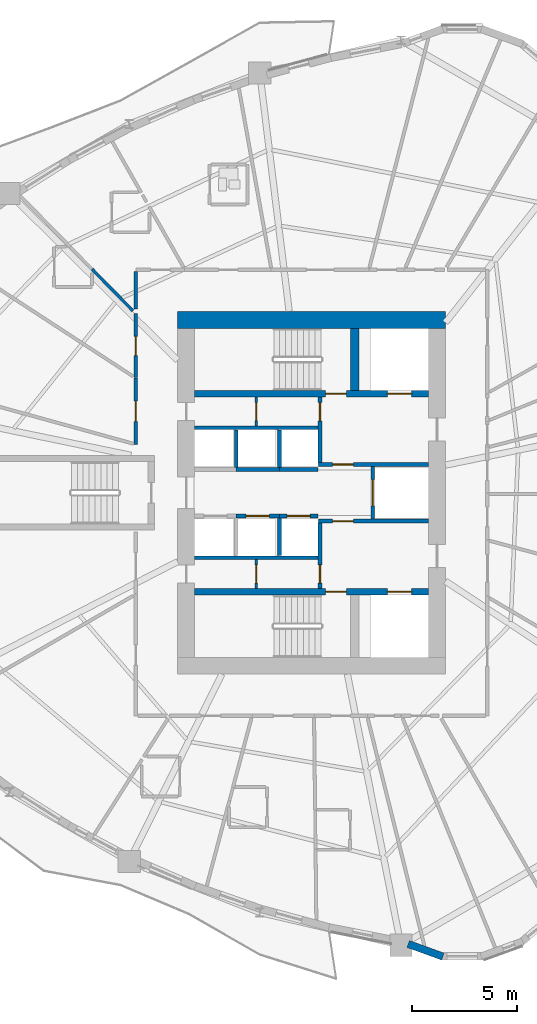
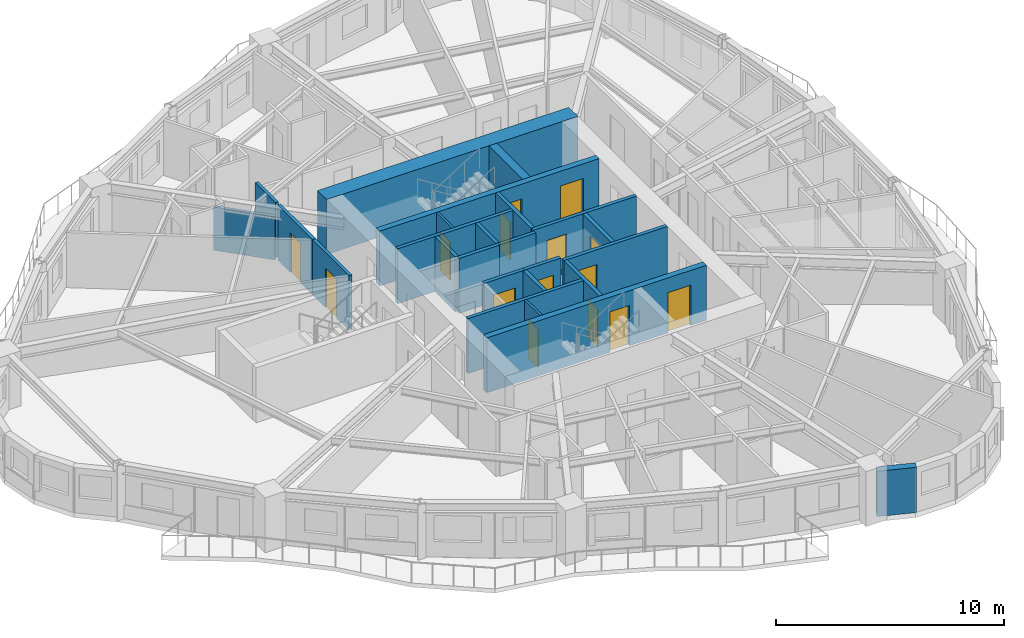
# One storey, part 5 of 13: 25 walls, 15 doors, 15 openings.
"""IFC4 building model written with IfcOpenShell, lengths in metres."""

from ifc_helpers import new_model, si_unit, direction, frame, frame_2d, origin, place, context, subcontext, project, spatial, rectangle, extrude, source, transform, mapped, material, layer, layer_set, type_object, element, fill, save


model = new_model("IFC4")

# Units and contexts
model_context = context("Model", 3, precision=1e-05, world=origin(), true_north=direction((0.0, 1.0)))
body_context = subcontext(model_context, "Body", "Model", "MODEL_VIEW")
ifc_project = project(units=[si_unit("LENGTHUNIT", "METRE"), si_unit("AREAUNIT", "SQUARE_METRE"), si_unit("VOLUMEUNIT", "CUBIC_METRE"), si_unit("PLANEANGLEUNIT", "RADIAN"), si_unit("MASSUNIT", "GRAM", prefix="KILO")], contexts=[model_context])

# Site, building, storey
site_placement = place(None, origin())
site = spatial("IfcSite", under=ifc_project, at=site_placement, CompositionType="ELEMENT")
building_placement = place(site_placement, origin())
building = spatial("IfcBuilding", under=site, at=building_placement, Name="Qafzar Sky-Pleat Residences", CompositionType="ELEMENT")
storey_placement = place(building_placement, frame((0.0, 0.0, 49.39990234375)))
storey = spatial("IfcBuildingStorey", under=building, at=storey_placement, Name="L14", CompositionType="ELEMENT", Elevation=49.39990234375)

# Wall, opening, door
ifc_material_1 = material(Name="Acoustic gypsum plasterboard partition", Category="gypsum")
ifc_layer_1 = layer(ifc_material_1, 0.159912109375)
ifc_layer_set_1 = layer_set([ifc_layer_1], Name="Acoustic gypsum plasterboard partition")
wall_type_1 = type_object("IfcWallType", Name="PART-COR-160", PredefinedType="PARTITIONING", material=ifc_layer_set_1)
wall_1_placement = place(storey_placement, frame((22.02001953125, 28.279052734375, 0.0), z_axis=(0.0, 0.0, 1.0), x_axis=(0.0, 1.0, 0.0)))
wall_1 = element("IfcWall", 1, at=wall_1_placement, inside=storey, type_object=wall_type_1, Name="L14 Partition Wall PART-L14-PW-007", PredefinedType="PARTITIONING", context=body_context, shape_type="SweptSolid", body=[
    extrude(rectangle(XDim=3.1728515625, YDim=0.159912109375, at=frame_2d((1.58642578125, 0.0))), origin(), (0.0, 0.0, 1.0), 2.940185546875),
])
opening_1_placement = place(wall_1_placement, frame((1.10498046875, 0.0, 0.0)))
opening_1 = element("IfcOpeningElement", 2, at=opening_1_placement, cuts=wall_1, Name="Opening ID-06", PredefinedType="OPENING", context=body_context, shape_type="SweptSolid", body=[
    extrude(rectangle(XDim=0.9599609375, YDim=2.10009765625, at=frame_2d((0.47998046875, 1.050048828125))), frame((0.0, 0.08984375, 0.0), z_axis=(0.0, -1.0, 0.0), x_axis=(1.0, 0.0, 0.0)), (0.0, 0.0, 1.0), 0.179931640625),
])
ifc_material_2 = material(Name="Timber-faced fire door", Category="wood")
door_type_1 = type_object("IfcDoorType", Name="DR-STD-960", OperationType="NOTDEFINED", PredefinedType="DOOR", material=ifc_material_2)
shared_shape_1 = source(origin(), body_context, "Body", "SweptSolid", [
    extrude(rectangle(XDim=0.9599609375, YDim=2.10009765625, at=frame_2d((0.47998046875, 1.050048828125))), frame((0.0, 0.02490234375, 0.0), z_axis=(0.0, -1.0, 0.0), x_axis=(1.0, 0.0, 0.0)), (0.0, 0.0, 1.0), 0.050048828125),
])
door_1_placement = place(opening_1_placement, origin())
door_1 = element("IfcDoor", 3, at=door_1_placement, inside=storey, type_object=door_type_1, Name="L14 Reading Library Door", OperationType="SINGLE_SWING_LEFT", OverallHeight=2.10009765625, OverallWidth=0.9599609375, PredefinedType="DOOR", context=body_context, shape_type="MappedRepresentation", body=[
    mapped(shared_shape_1, transform((0.0, 0.0, 0.0), x_axis=(1.0, 0.0, 0.0), y_axis=(0.0, 1.0, 0.0), z_axis=(0.0, 0.0, 1.0), scale=1.0)),
])
fill(opening_1, door_1)

wall_2_placement = place(storey_placement, frame((22.02001953125, 31.467041015625, 0.0), z_axis=(0.0, 0.0, 1.0), x_axis=(0.0, 1.0, 0.0)))
wall_2 = element("IfcWall", 4, at=wall_2_placement, inside=storey, type_object=wall_type_1, Name="L14 Partition Wall PART-L14-PW-008", PredefinedType="PARTITIONING", context=body_context, shape_type="SweptSolid", body=[
    extrude(rectangle(XDim=3.0400390625, YDim=0.159912109375, at=frame_2d((1.52001953125, 0.0))), origin(), (0.0, 0.0, 1.0), 2.940185546875),
])
opening_2_placement = place(wall_2_placement, frame((1.032958984375, 0.0, 0.0)))
opening_2 = element("IfcOpeningElement", 5, at=opening_2_placement, cuts=wall_2, Name="Opening ID-04", PredefinedType="OPENING", context=body_context, shape_type="SweptSolid", body=[
    extrude(rectangle(XDim=0.919921875, YDim=2.10009765625, at=frame_2d((0.4599609375, 1.050048828125))), frame((0.0, 0.08984375, 0.0), z_axis=(0.0, -1.0, 0.0), x_axis=(1.0, 0.0, 0.0)), (0.0, 0.0, 1.0), 0.179931640625),
])
door_type_2 = type_object("IfcDoorType", Name="DR-BED-920", OperationType="NOTDEFINED", PredefinedType="DOOR", material=ifc_material_2)
shared_shape_2 = source(origin(), body_context, "Body", "SweptSolid", [
    extrude(rectangle(XDim=0.919921875, YDim=2.10009765625, at=frame_2d((0.4599609375, 1.050048828125))), frame((0.0, 0.02490234375, 0.0), z_axis=(0.0, -1.0, 0.0), x_axis=(1.0, 0.0, 0.0)), (0.0, 0.0, 1.0), 0.050048828125),
])
door_2_placement = place(opening_2_placement, origin())
door_2 = element("IfcDoor", 6, at=door_2_placement, inside=storey, type_object=door_type_2, Name="L14 Co-Living Bedroom 8 Door", OperationType="SINGLE_SWING_RIGHT", OverallHeight=2.10009765625, OverallWidth=0.919921875, PredefinedType="DOOR", context=body_context, shape_type="MappedRepresentation", body=[
    mapped(shared_shape_2, transform((0.0, 0.0, 0.0), x_axis=(1.0, 0.0, 0.0), y_axis=(0.0, 1.0, 0.0), z_axis=(0.0, 0.0, 1.0), scale=1.0)),
])
fill(opening_2, door_2)

# Wall
wall_3_placement = place(storey_placement, frame((22.02001953125, 34.715087890625, 0.0), z_axis=(0.0, 0.0, 1.0), x_axis=(0.0, 1.0, 0.0)))
element("IfcWall", 7, at=wall_3_placement, inside=storey, type_object=wall_type_1, Name="L14 Partition Wall PART-L14-PW-057", PredefinedType="PARTITIONING", context=body_context, shape_type="SweptSolid", body=[
    extrude(rectangle(XDim=1.77685546875, YDim=0.159912109375, at=frame_2d((0.888427734375, 0.0))), origin(), (0.0, 0.0, 1.0), 2.940185546875),
])

# Wall, opening, door
ifc_material_3 = material(Name="Concrete blockwork partition", Category="masonry")
ifc_layer_2 = layer(ifc_material_3, 0.179931640625)
ifc_layer_set_2 = layer_set([ifc_layer_2], Name="Concrete blockwork partition")
wall_type_2 = type_object("IfcWallType", Name="PART-SHAFT-180", PredefinedType="PARTITIONING", material=ifc_layer_set_2)
wall_4_placement = place(storey_placement, frame((30.75, 21.4599609375, 0.0), z_axis=(0.0, 0.0, 1.0), x_axis=(0.0, 1.0, 0.0)))
wall_4 = element("IfcWall", 8, at=wall_4_placement, inside=storey, type_object=wall_type_2, Name="L14 Partition Wall PART-L14-FFL1-W", PredefinedType="PARTITIONING", context=body_context, shape_type="SweptSolid", body=[
    extrude(rectangle(XDim=3.110107421875, YDim=0.179931640625, at=frame_2d((1.55517578125, 0.0))), origin(), (0.0, 0.0, 1.0), 2.940185546875),
])
opening_3_placement = place(wall_4_placement, frame((0.260009765625, 0.0, 0.0)))
opening_3 = element("IfcOpeningElement", 9, at=opening_3_placement, cuts=wall_4, Name="Opening ID-09", PredefinedType="OPENING", context=body_context, shape_type="SweptSolid", body=[
    extrude(rectangle(XDim=0.860107421875, YDim=2.050048828125, at=frame_2d((0.43017578125, 1.02490234375))), frame((0.0, 0.10009765625, 0.0), z_axis=(0.0, -1.0, 0.0), x_axis=(1.0, 0.0, 0.0)), (0.0, 0.0, 1.0), 0.199951171875),
])
door_type_3 = type_object("IfcDoorType", Name="DR-SVC-860", OperationType="NOTDEFINED", PredefinedType="DOOR", material=ifc_material_2)
shared_shape_3 = source(origin(), body_context, "Body", "SweptSolid", [
    extrude(rectangle(XDim=0.860107421875, YDim=2.050048828125, at=frame_2d((0.43017578125, 1.02490234375))), frame((0.0, 0.02490234375, 0.0), z_axis=(0.0, -1.0, 0.0), x_axis=(1.0, 0.0, 0.0)), (0.0, 0.0, 1.0), 0.050048828125),
])
door_3_placement = place(opening_3_placement, origin())
door_3 = element("IfcDoor", 10, at=door_3_placement, inside=storey, type_object=door_type_3, Name="L14 South Core Cupboard Door", OperationType="SINGLE_SWING_LEFT", OverallHeight=2.050048828125, OverallWidth=0.860107421875, PredefinedType="DOOR", context=body_context, shape_type="MappedRepresentation", body=[
    mapped(shared_shape_3, transform((0.0, 0.0, 0.0), x_axis=(1.0, 0.0, 0.0), y_axis=(0.0, 1.0, 0.0), z_axis=(0.0, 0.0, 1.0), scale=1.0)),
])
fill(opening_3, door_3)

wall_5_placement = place(storey_placement, frame((30.669921875, 24.659912109375, 0.0), z_axis=(0.0, 0.0, 1.0), x_axis=(1.0, 0.0, 0.0)))
wall_5 = element("IfcWall", 11, at=wall_5_placement, inside=storey, type_object=wall_type_2, Name="L14 Partition Wall PART-L14-FFL1-N", PredefinedType="PARTITIONING", context=body_context, shape_type="SweptSolid", body=[
    extrude(rectangle(XDim=5.219970703125, YDim=0.179931640625, at=frame_2d((2.60986328125, 0.0))), origin(), (0.0, 0.0, 1.0), 2.940185546875),
])
opening_4_placement = place(wall_5_placement, frame((0.679931640625, 0.0, 0.0)))
opening_4 = element("IfcOpeningElement", 12, at=opening_4_placement, cuts=wall_5, Name="Opening ID-01", PredefinedType="OPENING", context=body_context, shape_type="SweptSolid", body=[
    extrude(rectangle(XDim=0.97998046875, YDim=2.14990234375, at=frame_2d((0.489990234375, 1.074951171875))), frame((0.0, 0.10009765625, 0.0), z_axis=(0.0, -1.0, 0.0), x_axis=(1.0, 0.0, 0.0)), (0.0, 0.0, 1.0), 0.199951171875),
])
door_type_4 = type_object("IfcDoorType", Name="DR-STAIR-980", OperationType="NOTDEFINED", PredefinedType="DOOR", material=ifc_material_2)
shared_shape_4 = source(origin(), body_context, "Body", "SweptSolid", [
    extrude(rectangle(XDim=0.97998046875, YDim=2.14990234375, at=frame_2d((0.489990234375, 1.074951171875))), frame((0.0, 0.02490234375, 0.0), z_axis=(0.0, -1.0, 0.0), x_axis=(1.0, 0.0, 0.0)), (0.0, 0.0, 1.0), 0.050048828125),
])
door_4_placement = place(opening_4_placement, origin())
door_4 = element("IfcDoor", 13, at=door_4_placement, inside=storey, type_object=door_type_4, Name="L14 Lift Lobby to South Firefighting Lobby Door", OperationType="SINGLE_SWING_RIGHT", OverallHeight=2.14990234375, OverallWidth=0.97998046875, PredefinedType="DOOR", context=body_context, shape_type="MappedRepresentation", body=[
    mapped(shared_shape_4, transform((0.0, 0.0, 0.0), x_axis=(1.0, 0.0, 0.0), y_axis=(0.0, 1.0, 0.0), z_axis=(0.0, 0.0, 1.0), scale=1.0)),
])
fill(opening_4, door_4)

wall_6_placement = place(storey_placement, frame((30.75, 27.429931640625, 0.0), z_axis=(0.0, 0.0, 1.0), x_axis=(0.0, 1.0, 0.0)))
wall_6 = element("IfcWall", 14, at=wall_6_placement, inside=storey, type_object=wall_type_2, Name="L14 Partition Wall PART-L14-FFL2-W", PredefinedType="PARTITIONING", context=body_context, shape_type="SweptSolid", body=[
    extrude(rectangle(XDim=3.110107421875, YDim=0.179931640625, at=frame_2d((1.55517578125, 0.0))), origin(), (0.0, 0.0, 1.0), 2.940185546875),
])
opening_5_placement = place(wall_6_placement, frame((1.97998046875, 0.0, 0.0)))
opening_5 = element("IfcOpeningElement", 15, at=opening_5_placement, cuts=wall_6, Name="Opening ID-09", PredefinedType="OPENING", context=body_context, shape_type="SweptSolid", body=[
    extrude(rectangle(XDim=0.860107421875, YDim=2.050048828125, at=frame_2d((0.43017578125, 1.02490234375))), frame((0.0, 0.10009765625, 0.0), z_axis=(0.0, -1.0, 0.0), x_axis=(1.0, 0.0, 0.0)), (0.0, 0.0, 1.0), 0.199951171875),
])
door_5_placement = place(opening_5_placement, origin())
door_5 = element("IfcDoor", 16, at=door_5_placement, inside=storey, type_object=door_type_3, Name="L14 North Core Cupboard Door", OperationType="SINGLE_SWING_LEFT", OverallHeight=2.050048828125, OverallWidth=0.860107421875, PredefinedType="DOOR", context=body_context, shape_type="MappedRepresentation", body=[
    mapped(shared_shape_3, transform((0.0, 0.0, 0.0), x_axis=(1.0, 0.0, 0.0), y_axis=(0.0, 1.0, 0.0), z_axis=(0.0, 0.0, 1.0), scale=1.0)),
])
fill(opening_5, door_5)

wall_7_placement = place(storey_placement, frame((30.669921875, 27.340087890625, 0.0), z_axis=(0.0, 0.0, 1.0), x_axis=(1.0, 0.0, 0.0)))
wall_7 = element("IfcWall", 17, at=wall_7_placement, inside=storey, type_object=wall_type_2, Name="L14 Partition Wall PART-L14-FFL2-S", PredefinedType="PARTITIONING", context=body_context, shape_type="SweptSolid", body=[
    extrude(rectangle(XDim=5.219970703125, YDim=0.179931640625, at=frame_2d((2.60986328125, 0.0))), origin(), (0.0, 0.0, 1.0), 2.940185546875),
])
opening_6_placement = place(wall_7_placement, frame((0.679931640625, 0.0, 0.0)))
opening_6 = element("IfcOpeningElement", 18, at=opening_6_placement, cuts=wall_7, Name="Opening ID-01", PredefinedType="OPENING", context=body_context, shape_type="SweptSolid", body=[
    extrude(rectangle(XDim=0.97998046875, YDim=2.14990234375, at=frame_2d((0.489990234375, 1.074951171875))), frame((0.0, 0.10009765625, 0.0), z_axis=(0.0, -1.0, 0.0), x_axis=(1.0, 0.0, 0.0)), (0.0, 0.0, 1.0), 0.199951171875),
])
door_6_placement = place(opening_6_placement, origin())
door_6 = element("IfcDoor", 19, at=door_6_placement, inside=storey, type_object=door_type_4, Name="L14 Lift Lobby to North Firefighting Lobby Door", OperationType="SINGLE_SWING_RIGHT", OverallHeight=2.14990234375, OverallWidth=0.97998046875, PredefinedType="DOOR", context=body_context, shape_type="MappedRepresentation", body=[
    mapped(shared_shape_4, transform((0.0, 0.0, 0.0), x_axis=(1.0, 0.0, 0.0), y_axis=(0.0, 1.0, 0.0), z_axis=(0.0, 0.0, 1.0), scale=1.0)),
])
fill(opening_6, door_6)

wall_8_placement = place(storey_placement, frame((33.25, 24.760009765625, 0.0), z_axis=(0.0, 0.0, 1.0), x_axis=(0.0, 1.0, 0.0)))
wall_8 = element("IfcWall", 20, at=wall_8_placement, inside=storey, type_object=wall_type_2, Name="L14 Partition Wall PART-L14-SV1-W", PredefinedType="PARTITIONING", context=body_context, shape_type="SweptSolid", body=[
    extrude(rectangle(XDim=2.47998046875, YDim=0.179931640625, at=frame_2d((1.239990234375, 0.0))), origin(), (0.0, 0.0, 1.0), 2.940185546875),
])
opening_7_placement = place(wall_8_placement, frame((0.614990234375, 0.0, 0.0)))
opening_7 = element("IfcOpeningElement", 21, at=opening_7_placement, cuts=wall_8, Name="Opening LD-03", PredefinedType="OPENING", context=body_context, shape_type="SweptSolid", body=[
    extrude(rectangle(XDim=1.25, YDim=2.14990234375, at=frame_2d((0.625, 1.074951171875))), frame((0.0, 0.10009765625, 0.0), z_axis=(0.0, -1.0, 0.0), x_axis=(1.0, 0.0, 0.0)), (0.0, 0.0, 1.0), 0.199951171875),
])
ifc_material_4 = material(Name="Stainless steel sliding landing door", Category="steel")
door_type_5 = type_object("IfcDoorType", Name="DR-LIFT-SV", OperationType="DOUBLE_DOOR_SLIDING", PredefinedType="DOOR", material=ifc_material_4)
shared_shape_5 = source(origin(), body_context, "Body", "SweptSolid", [
    extrude(rectangle(XDim=1.25, YDim=2.14990234375, at=frame_2d((0.625, 1.074951171875))), frame((0.0, 0.02490234375, 0.0), z_axis=(0.0, -1.0, 0.0), x_axis=(1.0, 0.0, 0.0)), (0.0, 0.0, 1.0), 0.050048828125),
])
door_7_placement = place(opening_7_placement, origin())
door_7 = element("IfcDoor", 22, at=door_7_placement, inside=storey, type_object=door_type_5, Name="L14 Service Lift SV1 Landing Door", OperationType="DOUBLE_DOOR_SLIDING", OverallHeight=2.14990234375, OverallWidth=1.25, PredefinedType="DOOR", context=body_context, shape_type="MappedRepresentation", body=[
    mapped(shared_shape_5, transform((0.0, 0.0, 0.0), x_axis=(1.0, 0.0, 0.0), y_axis=(0.0, 1.0, 0.0), z_axis=(0.0, 0.0, 1.0), scale=1.0)),
])
fill(opening_7, door_7)

# Wall
wall_9_placement = place(storey_placement, frame((24.81005859375, 22.919921875, 0.0), z_axis=(0.0, 0.0, 1.0), x_axis=(1.0, 0.0, 0.0)))
element("IfcWall", 23, at=wall_9_placement, inside=storey, type_object=wall_type_2, Name="L14 Partition Wall PART-L14-P13-S", PredefinedType="PARTITIONING", context=body_context, shape_type="SweptSolid", body=[
    extrude(rectangle(XDim=5.83984375, YDim=0.179931640625, at=frame_2d((2.919921875, 0.0))), origin(), (0.0, 0.0, 1.0), 2.940185546875),
])

# Wall, opening, door
wall_10_placement = place(storey_placement, frame((26.77490234375, 24.89990234375, 0.0), z_axis=(0.0, 0.0, 1.0), x_axis=(1.0, 0.0, 0.0)))
wall_10 = element("IfcWall", 24, at=wall_10_placement, inside=storey, type_object=wall_type_2, Name="L14 Partition Wall PART-L14-P2-N", PredefinedType="PARTITIONING", context=body_context, shape_type="SweptSolid", body=[
    extrude(rectangle(XDim=2.050048828125, YDim=0.179931640625, at=frame_2d((1.02490234375, 0.0))), origin(), (0.0, 0.0, 1.0), 2.940185546875),
])
opening_8_placement = place(wall_10_placement, frame((0.47509765625, 0.0, 0.0)))
opening_8 = element("IfcOpeningElement", 25, at=opening_8_placement, cuts=wall_10, Name="Opening LD-01", PredefinedType="OPENING", context=body_context, shape_type="SweptSolid", body=[
    extrude(rectangle(XDim=1.10009765625, YDim=2.14990234375, at=frame_2d((0.550048828125, 1.074951171875))), frame((0.0, 0.10009765625, 0.0), z_axis=(0.0, -1.0, 0.0), x_axis=(1.0, 0.0, 0.0)), (0.0, 0.0, 1.0), 0.199951171875),
])
door_type_6 = type_object("IfcDoorType", Name="DR-LIFT-P", OperationType="DOUBLE_DOOR_SLIDING", PredefinedType="DOOR", material=ifc_material_4)
shared_shape_6 = source(origin(), body_context, "Body", "SweptSolid", [
    extrude(rectangle(XDim=1.10009765625, YDim=2.14990234375, at=frame_2d((0.550048828125, 1.074951171875))), frame((0.0, 0.02490234375, 0.0), z_axis=(0.0, -1.0, 0.0), x_axis=(1.0, 0.0, 0.0)), (0.0, 0.0, 1.0), 0.050048828125),
])
door_8_placement = place(opening_8_placement, origin())
door_8 = element("IfcDoor", 26, at=door_8_placement, inside=storey, type_object=door_type_6, Name="L14 Passenger Lift P2 Landing Door", OperationType="DOUBLE_DOOR_SLIDING", OverallHeight=2.14990234375, OverallWidth=1.10009765625, PredefinedType="DOOR", context=body_context, shape_type="MappedRepresentation", body=[
    mapped(shared_shape_6, transform((0.0, 0.0, 0.0), x_axis=(1.0, 0.0, 0.0), y_axis=(0.0, 1.0, 0.0), z_axis=(0.0, 0.0, 1.0), scale=1.0)),
])
fill(opening_8, door_8)

wall_11_placement = place(storey_placement, frame((28.824951171875, 24.89990234375, 0.0), z_axis=(0.0, 0.0, 1.0), x_axis=(1.0, 0.0, 0.0)))
wall_11 = element("IfcWall", 27, at=wall_11_placement, inside=storey, type_object=wall_type_2, Name="L14 Partition Wall PART-L14-P3-N", PredefinedType="PARTITIONING", context=body_context, shape_type="SweptSolid", body=[
    extrude(rectangle(XDim=1.824951171875, YDim=0.179931640625, at=frame_2d((0.91259765625, 0.0))), origin(), (0.0, 0.0, 1.0), 2.940185546875),
])
opening_9_placement = place(wall_11_placement, frame((0.362548828125, 0.0, 0.0)))
opening_9 = element("IfcOpeningElement", 28, at=opening_9_placement, cuts=wall_11, Name="Opening LD-01", PredefinedType="OPENING", context=body_context, shape_type="SweptSolid", body=[
    extrude(rectangle(XDim=1.10009765625, YDim=2.14990234375, at=frame_2d((0.550048828125, 1.074951171875))), frame((0.0, 0.10009765625, 0.0), z_axis=(0.0, -1.0, 0.0), x_axis=(1.0, 0.0, 0.0)), (0.0, 0.0, 1.0), 0.199951171875),
])
door_9_placement = place(opening_9_placement, origin())
door_9 = element("IfcDoor", 29, at=door_9_placement, inside=storey, type_object=door_type_6, Name="L14 Passenger Lift P3 Landing Door", OperationType="DOUBLE_DOOR_SLIDING", OverallHeight=2.14990234375, OverallWidth=1.10009765625, PredefinedType="DOOR", context=body_context, shape_type="MappedRepresentation", body=[
    mapped(shared_shape_6, transform((0.0, 0.0, 0.0), x_axis=(1.0, 0.0, 0.0), y_axis=(0.0, 1.0, 0.0), z_axis=(0.0, 0.0, 1.0), scale=1.0)),
])
fill(opening_9, door_9)

# Walls
wall_12_placement = place(storey_placement, frame((28.824951171875, 23.02001953125, 0.0), z_axis=(0.0, 0.0, 1.0), x_axis=(0.0, 1.0, 0.0)))
element("IfcWall", 30, at=wall_12_placement, inside=storey, type_object=wall_type_2, Name="L14 Partition Wall PART-L14-P13-DIV-2", PredefinedType="PARTITIONING", context=body_context, shape_type="SweptSolid", body=[
    extrude(rectangle(XDim=1.780029296875, YDim=0.179931640625, at=frame_2d((0.89013671875, 0.0))), origin(), (0.0, 0.0, 1.0), 2.940185546875),
])
wall_13_placement = place(storey_placement, frame((24.81005859375, 29.080078125, 0.0), z_axis=(0.0, 0.0, 1.0), x_axis=(1.0, 0.0, 0.0)))
element("IfcWall", 31, at=wall_13_placement, inside=storey, type_object=wall_type_2, Name="L14 Partition Wall PART-L14-P46-N", PredefinedType="PARTITIONING", context=body_context, shape_type="SweptSolid", body=[
    extrude(rectangle(XDim=5.83984375, YDim=0.179931640625, at=frame_2d((2.919921875, 0.0))), origin(), (0.0, 0.0, 1.0), 2.940185546875),
])
wall_14_placement = place(storey_placement, frame((26.77490234375, 27.10009765625, 0.0), z_axis=(0.0, 0.0, 1.0), x_axis=(1.0, 0.0, 0.0)))
element("IfcWall", 32, at=wall_14_placement, inside=storey, type_object=wall_type_2, Name="L14 Partition Wall PART-L14-P5-S", PredefinedType="PARTITIONING", context=body_context, shape_type="SweptSolid", body=[
    extrude(rectangle(XDim=2.050048828125, YDim=0.179931640625, at=frame_2d((1.02490234375, 0.0))), origin(), (0.0, 0.0, 1.0), 2.940185546875),
])
wall_15_placement = place(storey_placement, frame((26.77490234375, 27.199951171875, 0.0), z_axis=(0.0, 0.0, 1.0), x_axis=(0.0, 1.0, 0.0)))
element("IfcWall", 33, at=wall_15_placement, inside=storey, type_object=wall_type_2, Name="L14 Partition Wall PART-L14-P46-DIV-1", PredefinedType="PARTITIONING", context=body_context, shape_type="SweptSolid", body=[
    extrude(rectangle(XDim=1.780029296875, YDim=0.179931640625, at=frame_2d((0.89013671875, 0.0))), origin(), (0.0, 0.0, 1.0), 2.940185546875),
])
wall_16_placement = place(storey_placement, frame((28.824951171875, 27.10009765625, 0.0), z_axis=(0.0, 0.0, 1.0), x_axis=(1.0, 0.0, 0.0)))
element("IfcWall", 34, at=wall_16_placement, inside=storey, type_object=wall_type_2, Name="L14 Partition Wall PART-L14-P6-S", PredefinedType="PARTITIONING", context=body_context, shape_type="SweptSolid", body=[
    extrude(rectangle(XDim=1.824951171875, YDim=0.179931640625, at=frame_2d((0.91259765625, 0.0))), origin(), (0.0, 0.0, 1.0), 2.940185546875),
])
wall_17_placement = place(storey_placement, frame((28.824951171875, 27.199951171875, 0.0), z_axis=(0.0, 0.0, 1.0), x_axis=(0.0, 1.0, 0.0)))
element("IfcWall", 35, at=wall_17_placement, inside=storey, type_object=wall_type_2, Name="L14 Partition Wall PART-L14-P46-DIV-2", PredefinedType="PARTITIONING", context=body_context, shape_type="SweptSolid", body=[
    extrude(rectangle(XDim=1.780029296875, YDim=0.179931640625, at=frame_2d((0.89013671875, 0.0))), origin(), (0.0, 0.0, 1.0), 2.940185546875),
])

# Wall, opening, door
ifc_material_5 = material(Name="Gypsum plasterboard partition", Category="gypsum")
ifc_layer_3 = layer(ifc_material_5, 0.114990234375)
ifc_layer_set_3 = layer_set([ifc_layer_3], Name="Gypsum plasterboard partition")
wall_type_3 = type_object("IfcWallType", Name="PART-SVC-115", PredefinedType="PARTITIONING", material=ifc_layer_set_3)
wall_18_placement = place(storey_placement, frame((27.72509765625, 21.4599609375, 0.0), z_axis=(0.0, 0.0, 1.0), x_axis=(0.0, 1.0, 0.0)))
wall_18 = element("IfcWall", 36, at=wall_18_placement, inside=storey, type_object=wall_type_3, Name="L14 Partition Wall PART-L14-KB-SW", PredefinedType="PARTITIONING", context=body_context, shape_type="SweptSolid", body=[
    extrude(rectangle(XDim=1.380126953125, YDim=0.114990234375, at=frame_2d((0.68994140625, 0.0))), origin(), (0.0, 0.0, 1.0), 2.940185546875),
])
opening_10_placement = place(wall_18_placement, frame((0.260009765625, 0.0, 0.0)))
opening_10 = element("IfcOpeningElement", 37, at=opening_10_placement, cuts=wall_18, Name="Opening ID-09", PredefinedType="OPENING", context=body_context, shape_type="SweptSolid", body=[
    extrude(rectangle(XDim=0.860107421875, YDim=2.050048828125, at=frame_2d((0.43017578125, 1.02490234375))), frame((0.0, 0.0673828125, 0.0), z_axis=(0.0, -1.0, 0.0), x_axis=(1.0, 0.0, 0.0)), (0.0, 0.0, 1.0), 0.135009765625),
])
door_10_placement = place(opening_10_placement, origin())
door_10 = element("IfcDoor", 38, at=door_10_placement, inside=storey, type_object=door_type_3, Name="L14 BMS Metering Cupboard Door", OperationType="SINGLE_SWING_LEFT", OverallHeight=2.050048828125, OverallWidth=0.860107421875, PredefinedType="DOOR", context=body_context, shape_type="MappedRepresentation", body=[
    mapped(shared_shape_3, transform((0.0, 0.0, 0.0), x_axis=(1.0, 0.0, 0.0), y_axis=(0.0, 1.0, 0.0), z_axis=(0.0, 0.0, 1.0), scale=1.0)),
])
fill(opening_10, door_10)

wall_19_placement = place(storey_placement, frame((27.72509765625, 29.159912109375, 0.0), z_axis=(0.0, 0.0, 1.0), x_axis=(0.0, 1.0, 0.0)))
wall_19 = element("IfcWall", 39, at=wall_19_placement, inside=storey, type_object=wall_type_3, Name="L14 Partition Wall PART-L14-KB-NW", PredefinedType="PARTITIONING", context=body_context, shape_type="SweptSolid", body=[
    extrude(rectangle(XDim=1.380126953125, YDim=0.114990234375, at=frame_2d((0.68994140625, 0.0))), origin(), (0.0, 0.0, 1.0), 2.940185546875),
])
opening_11_placement = place(wall_19_placement, frame((0.260009765625, 0.0, 0.0)))
opening_11 = element("IfcOpeningElement", 40, at=opening_11_placement, cuts=wall_19, Name="Opening ID-09", PredefinedType="OPENING", context=body_context, shape_type="SweptSolid", body=[
    extrude(rectangle(XDim=0.860107421875, YDim=2.050048828125, at=frame_2d((0.43017578125, 1.02490234375))), frame((0.0, 0.0673828125, 0.0), z_axis=(0.0, -1.0, 0.0), x_axis=(1.0, 0.0, 0.0)), (0.0, 0.0, 1.0), 0.135009765625),
])
door_11_placement = place(opening_11_placement, origin())
door_11 = element("IfcDoor", 41, at=door_11_placement, inside=storey, type_object=door_type_3, Name="L14 IT Cupboard Door", OperationType="SINGLE_SWING_RIGHT", OverallHeight=2.050048828125, OverallWidth=0.860107421875, PredefinedType="DOOR", context=body_context, shape_type="MappedRepresentation", body=[
    mapped(shared_shape_3, transform((0.0, 0.0, 0.0), x_axis=(1.0, 0.0, 0.0), y_axis=(0.0, 1.0, 0.0), z_axis=(0.0, 0.0, 1.0), scale=1.0)),
])
fill(opening_11, door_11)

# Walls
ifc_layer_4 = layer(ifc_material_1, 0.14501953125)
ifc_layer_set_4 = layer_set([ifc_layer_4], Name="Acoustic gypsum plasterboard partition")
wall_type_4 = type_object("IfcWallType", Name="PART-UNIT-145", PredefinedType="PARTITIONING", material=ifc_layer_set_4)
wall_20_placement = place(storey_placement, frame((19.93798828125, 36.60693359375, 0.0), z_axis=(0.0, 0.0, 1.0), x_axis=(0.700568911338, -0.713584753527, 0.0)))
element("IfcWall", 42, at=wall_20_placement, inside=storey, type_object=wall_type_4, Name="L14 Partition Wall PART-L14-PW-053", PredefinedType="PARTITIONING", context=body_context, shape_type="SweptSolid", body=[
    extrude(rectangle(XDim=2.776123046875, YDim=0.14501953125, at=frame_2d((1.38818359375, 0.0))), origin(), (0.0, 0.0, 1.0), 2.30810546875),
])
ifc_material_6 = material(Name="Precast concrete C40/50 with honed Riyadh limestone", Category="concrete")
ifc_layer_5 = layer(ifc_material_6, 0.35009765625)
ifc_layer_set_5 = layer_set([ifc_layer_5], Name="Precast concrete C40/50 with honed Riyadh limestone")
wall_type_5 = type_object("IfcWallType", Name="WALL-EXT-350", PredefinedType="SOLIDWALL", material=ifc_layer_set_5)
wall_21_placement = place(storey_placement, frame((34.931884765625, 4.601806640625, 0.0), z_axis=(0.0, 0.0, 1.0), x_axis=(0.939675390388, -0.342067479745, 0.0)))
element("IfcWall", 43, at=wall_21_placement, inside=storey, type_object=wall_type_5, Name="L14 Limestone Facade Wall 17", PredefinedType="SOLIDWALL", context=body_context, shape_type="SweptSolid", body=[
    extrude(rectangle(XDim=1.752197265625, YDim=0.35009765625, at=frame_2d((0.8759765625, 0.0))), origin(), (0.0, 0.0, 1.0), 2.420166015625),
])

# Wall, openings, doors
ifc_material_7 = material(Name="Concrete C60/75", Category="concrete")
ifc_layer_6 = layer(ifc_material_7, 0.300048828125)
ifc_layer_set_6 = layer_set([ifc_layer_6], Name="Concrete C60/75")
wall_type_6 = type_object("IfcWallType", Name="WALL-SHEAR-300", PredefinedType="SHEAR", material=ifc_layer_set_6)
wall_22_placement = place(storey_placement, frame((24.800048828125, 21.300048828125, 0.0), z_axis=(0.0, 0.0, 1.0), x_axis=(1.0, 0.0, 0.0)))
wall_22 = element("IfcWall", 44, at=wall_22_placement, inside=storey, type_object=wall_type_6, Name="L14 Stair ST1 and FF1 Shaft North Wall", PredefinedType="SHEAR", context=body_context, shape_type="SweptSolid", body=[
    extrude(rectangle(XDim=11.099853515625, YDim=0.300048828125, at=frame_2d((5.5498046875, 0.0))), origin(), (0.0, 0.0, 1.0), 2.940185546875),
])
opening_12_placement = place(wall_22_placement, frame((6.219970703125, 0.0, 0.0)))
opening_12 = element("IfcOpeningElement", 45, at=opening_12_placement, cuts=wall_22, Name="Opening ID-01", PredefinedType="OPENING", context=body_context, shape_type="SweptSolid", body=[
    extrude(rectangle(XDim=0.97998046875, YDim=2.14990234375, at=frame_2d((0.489990234375, 1.074951171875))), frame((0.0, 0.16015625, 0.0), z_axis=(0.0, -1.0, 0.0), x_axis=(1.0, 0.0, 0.0)), (0.0, 0.0, 1.0), 0.320068359375),
])
opening_13_placement = place(wall_22_placement, frame((9.14990234375, 0.0, 0.0)))
opening_13 = element("IfcOpeningElement", 46, at=opening_13_placement, cuts=wall_22, Name="Opening LD-02", PredefinedType="OPENING", context=body_context, shape_type="SweptSolid", body=[
    extrude(rectangle(XDim=1.14990234375, YDim=2.14990234375, at=frame_2d((0.574951171875, 1.074951171875))), frame((0.0, 0.16015625, 0.0), z_axis=(0.0, -1.0, 0.0), x_axis=(1.0, 0.0, 0.0)), (0.0, 0.0, 1.0), 0.320068359375),
])
door_12_placement = place(opening_12_placement, origin())
door_12 = element("IfcDoor", 47, at=door_12_placement, inside=storey, type_object=door_type_4, Name="L14 Stair ST1 Fire Door", OperationType="SINGLE_SWING_RIGHT", OverallHeight=2.14990234375, OverallWidth=0.97998046875, PredefinedType="DOOR", context=body_context, shape_type="MappedRepresentation", body=[
    mapped(shared_shape_4, transform((0.0, 0.0, 0.0), x_axis=(1.0, 0.0, 0.0), y_axis=(0.0, 1.0, 0.0), z_axis=(0.0, 0.0, 1.0), scale=1.0)),
])
fill(opening_12, door_12)
door_type_7 = type_object("IfcDoorType", Name="DR-LIFT-FF", OperationType="DOUBLE_DOOR_SLIDING", PredefinedType="DOOR", material=ifc_material_4)
shared_shape_7 = source(origin(), body_context, "Body", "SweptSolid", [
    extrude(rectangle(XDim=1.14990234375, YDim=2.14990234375, at=frame_2d((0.574951171875, 1.074951171875))), frame((0.0, 0.02490234375, 0.0), z_axis=(0.0, -1.0, 0.0), x_axis=(1.0, 0.0, 0.0)), (0.0, 0.0, 1.0), 0.050048828125),
])
door_13_placement = place(opening_13_placement, origin())
door_13 = element("IfcDoor", 48, at=door_13_placement, inside=storey, type_object=door_type_7, Name="L14 Firefighting Lift FF1 Landing Door", OperationType="DOUBLE_DOOR_SLIDING", OverallHeight=2.14990234375, OverallWidth=1.14990234375, PredefinedType="DOOR", context=body_context, shape_type="MappedRepresentation", body=[
    mapped(shared_shape_7, transform((0.0, 0.0, 0.0), x_axis=(1.0, 0.0, 0.0), y_axis=(0.0, 1.0, 0.0), z_axis=(0.0, 0.0, 1.0), scale=1.0)),
])
fill(opening_13, door_13)

wall_23_placement = place(storey_placement, frame((24.800048828125, 30.699951171875, 0.0), z_axis=(0.0, 0.0, 1.0), x_axis=(1.0, 0.0, 0.0)))
wall_23 = element("IfcWall", 49, at=wall_23_placement, inside=storey, type_object=wall_type_6, Name="L14 Stair ST2 and FF2 Shaft South Wall", PredefinedType="SHEAR", context=body_context, shape_type="SweptSolid", body=[
    extrude(rectangle(XDim=11.099853515625, YDim=0.300048828125, at=frame_2d((5.5498046875, 0.0))), origin(), (0.0, 0.0, 1.0), 2.940185546875),
])
opening_14_placement = place(wall_23_placement, frame((6.219970703125, 0.0, 0.0)))
opening_14 = element("IfcOpeningElement", 50, at=opening_14_placement, cuts=wall_23, Name="Opening ID-01", PredefinedType="OPENING", context=body_context, shape_type="SweptSolid", body=[
    extrude(rectangle(XDim=0.97998046875, YDim=2.14990234375, at=frame_2d((0.489990234375, 1.074951171875))), frame((0.0, 0.16015625, 0.0), z_axis=(0.0, -1.0, 0.0), x_axis=(1.0, 0.0, 0.0)), (0.0, 0.0, 1.0), 0.320068359375),
])
opening_15_placement = place(wall_23_placement, frame((9.14990234375, 0.0, 0.0)))
opening_15 = element("IfcOpeningElement", 51, at=opening_15_placement, cuts=wall_23, Name="Opening LD-02", PredefinedType="OPENING", context=body_context, shape_type="SweptSolid", body=[
    extrude(rectangle(XDim=1.14990234375, YDim=2.14990234375, at=frame_2d((0.574951171875, 1.074951171875))), frame((0.0, 0.16015625, 0.0), z_axis=(0.0, -1.0, 0.0), x_axis=(1.0, 0.0, 0.0)), (0.0, 0.0, 1.0), 0.320068359375),
])
door_14_placement = place(opening_14_placement, origin())
door_14 = element("IfcDoor", 52, at=door_14_placement, inside=storey, type_object=door_type_4, Name="L14 Stair ST2 Fire Door", OperationType="SINGLE_SWING_LEFT", OverallHeight=2.14990234375, OverallWidth=0.97998046875, PredefinedType="DOOR", context=body_context, shape_type="MappedRepresentation", body=[
    mapped(shared_shape_4, transform((0.0, 0.0, 0.0), x_axis=(1.0, 0.0, 0.0), y_axis=(0.0, 1.0, 0.0), z_axis=(0.0, 0.0, 1.0), scale=1.0)),
])
fill(opening_14, door_14)
door_15_placement = place(opening_15_placement, origin())
door_15 = element("IfcDoor", 53, at=door_15_placement, inside=storey, type_object=door_type_7, Name="L14 Firefighting Lift FF2 Landing Door", OperationType="DOUBLE_DOOR_SLIDING", OverallHeight=2.14990234375, OverallWidth=1.14990234375, PredefinedType="DOOR", context=body_context, shape_type="MappedRepresentation", body=[
    mapped(shared_shape_7, transform((0.0, 0.0, 0.0), x_axis=(1.0, 0.0, 0.0), y_axis=(0.0, 1.0, 0.0), z_axis=(0.0, 0.0, 1.0), scale=1.0)),
])
fill(opening_15, door_15)

# Walls
ifc_layer_7 = layer(ifc_material_7, 0.39990234375)
ifc_layer_set_7 = layer_set([ifc_layer_7], Name="Concrete C60/75")
wall_type_7 = type_object("IfcWallType", Name="WALL-SHEAR-400", PredefinedType="SHEAR", material=ifc_layer_set_7)
wall_24_placement = place(storey_placement, frame((32.39990234375, 30.85009765625, 0.0), z_axis=(0.0, 0.0, 1.0), x_axis=(0.0, 1.0, 0.0)))
element("IfcWall", 54, at=wall_24_placement, inside=storey, type_object=wall_type_7, Name="L14 Stair ST2 East Dividing Wall", PredefinedType="SHEAR", context=body_context, shape_type="SweptSolid", body=[
    extrude(rectangle(XDim=2.949951171875, YDim=0.39990234375, at=frame_2d((1.47509765625, 0.0))), origin(), (0.0, 0.0, 1.0), 2.940185546875),
])
ifc_layer_8 = layer(ifc_material_7, 0.800048828125)
ifc_layer_set_8 = layer_set([ifc_layer_8], Name="Concrete C60/75")
wall_type_8 = type_object("IfcWallType", Name="WALL-SHEAR-800", PredefinedType="SHEAR", material=ifc_layer_set_8)
wall_25_placement = place(storey_placement, frame((36.699951171875, 34.199951171875, 0.0), z_axis=(0.0, 0.0, 1.0), x_axis=(-1.0, 0.0, 0.0)))
element("IfcWall", 55, at=wall_25_placement, inside=storey, type_object=wall_type_8, Name="L14 CORE wall N", PredefinedType="SHEAR", context=body_context, shape_type="SweptSolid", body=[
    extrude(rectangle(XDim=12.699951171875, YDim=0.800048828125, at=frame_2d((6.35009765625, 0.0))), origin(), (0.0, 0.0, 1.0), 2.940185546875),
])

save(model, "model.ifc")
